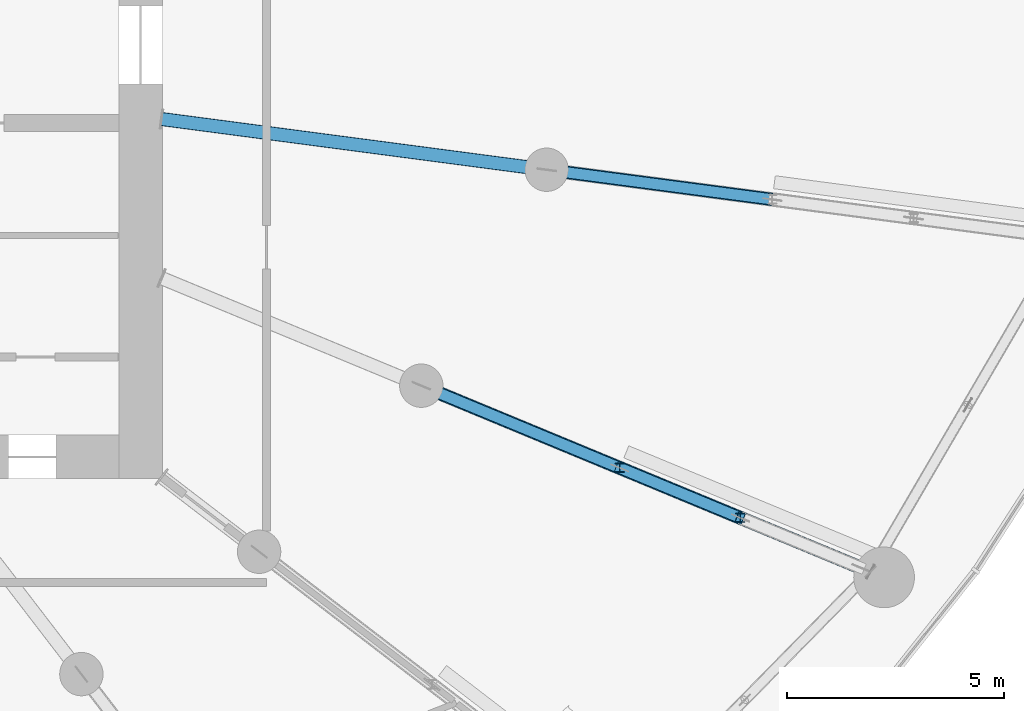
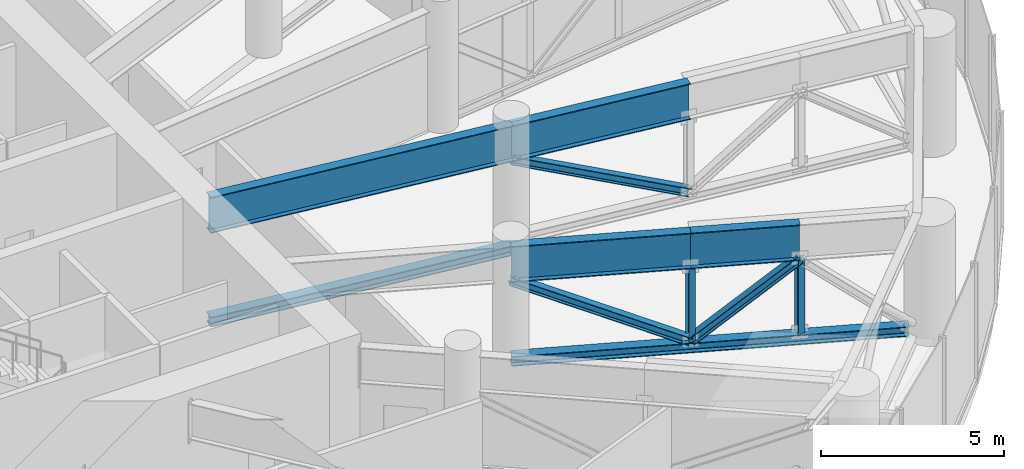
# One storey, part 9 of 42: 7 members, 4 beams.
"""IFC4 building model written with IfcOpenShell, lengths in metres."""

from ifc_helpers import new_model, si_unit, direction, frame, origin, origin_2d, place, context, subcontext, project, spatial, i_section, extrude, source, transform, mapped, material, material_profile, profile_set, type_object, element, save


model = new_model("IFC4")

# Units and contexts
model_context = context("Model", 3, precision=1e-05, world=origin(), true_north=direction((0.0, 1.0)))
body_context = subcontext(model_context, "Body", "Model", "MODEL_VIEW")
ifc_project = project(units=[si_unit("LENGTHUNIT", "METRE"), si_unit("AREAUNIT", "SQUARE_METRE"), si_unit("VOLUMEUNIT", "CUBIC_METRE"), si_unit("PLANEANGLEUNIT", "RADIAN"), si_unit("MASSUNIT", "GRAM", prefix="KILO")], contexts=[model_context])

# Site, building, storey
site_placement = place(None, origin())
site = spatial("IfcSite", under=ifc_project, at=site_placement, CompositionType="ELEMENT")
building_placement = place(site_placement, origin())
building = spatial("IfcBuilding", under=site, at=building_placement, Name="Spindrift Exchange Tower", CompositionType="ELEMENT")
storey_placement = place(building_placement, frame((0.0, 0.0, 75.39990234375)))
storey = spatial("IfcBuildingStorey", under=building, at=storey_placement, Name="L17", CompositionType="ELEMENT", Elevation=75.39990234375)

# Members
ifc_material = material(Name="Steel Grade 300", Category="steel")
ifc_material_profile_1 = material_profile(ifc_material, i_section(OverallWidth=0.205078125, OverallDepth=0.2099609375, WebThickness=0.00927734375, FlangeThickness=0.01416015625, FilletRadius=0.012939453125, at=origin_2d()), Name="200UC59.5")
ifc_profile_set_1 = profile_set([ifc_material_profile_1], Name="Steel Grade 300")
member_type_1 = type_object("IfcMemberType", Name="Outrigger Truss Post 200UC59.5 Steel Grade 300", PredefinedType="POST", material=ifc_profile_set_1)
shared_shape_1 = source(origin(), body_context, "Body", "SweptSolid", [
    extrude(i_section(OverallWidth=0.205078125, OverallDepth=0.2099609375, WebThickness=0.00927734375, FlangeThickness=0.01416015625, FilletRadius=0.012939453125, at=origin_2d()), origin(), (0.0, 0.0, 1.0), 2.472900390625),
])
for number, where, z_axis, x_axis, name in (
    (1, (75.5478515625, 38.24609375, 0.3271484375), (0.0, 0.0, 1.0), (1.0, 0.0, 0.0), "L17 outrigger truss 23 post 2"),
    (2, (78.328125, 37.094482421875, 0.3271484375), (0.0, 0.0, 1.0), (1.0, 0.0, 0.0), "L17 outrigger truss 23 post 3"),
):
    element("IfcMember", number, at=place(storey_placement, frame(where, z_axis=z_axis, x_axis=x_axis)), inside=storey, type_object=member_type_1, Name=name, PredefinedType="POST", context=body_context, shape_type="MappedRepresentation", body=[
        mapped(shared_shape_1, transform((0.0, 0.0, 0.0), scale=1.0)),
    ])

# Beam
ifc_material_profile_2 = material_profile(ifc_material, i_section(OverallWidth=0.300048828125, OverallDepth=1.199951171875, WebThickness=0.011962890625, FlangeThickness=0.028076171875, at=origin_2d()), Name="1200WB249")
ifc_profile_set_2 = profile_set([ifc_material_profile_2], Name="Steel Grade 300")
beam_type = type_object("IfcBeamType", Name="Outrigger Truss Transfer Girder 1200WB249 Steel Grade 300", PredefinedType="BEAM", material=ifc_profile_set_2)
shared_shape_2 = source(origin(), body_context, "Body", "SweptSolid", [
    extrude(i_section(OverallWidth=0.300048828125, OverallDepth=1.199951171875, WebThickness=0.011962890625, FlangeThickness=0.028076171875, at=origin_2d()), origin(), (0.0, 0.0, 1.0), 4.952392578125),
])
beam_1_placement = place(storey_placement, frame((70.972412109375, 40.141357421875, 3.400146484375), z_axis=(0.923875634829, -0.382692842067, 0.0), x_axis=(0.382692842067, 0.923875634829, 0.0)))
element("IfcBeam", 3, at=beam_1_placement, inside=storey, type_object=beam_type, Name="L17 outrigger truss 23 top chord 2", PredefinedType="BEAM", context=body_context, shape_type="MappedRepresentation", body=[
    mapped(shared_shape_2, transform((0.0, 0.0, 0.0), scale=1.0)),
])

# Members
ifc_material_profile_3 = material_profile(ifc_material, i_section(OverallWidth=0.31103515625, OverallDepth=0.326904296875, WebThickness=0.015625, FlangeThickness=0.02490234375, FilletRadius=0.0166015625, at=origin_2d()), Name="310UC158")
ifc_profile_set_3 = profile_set([ifc_material_profile_3], Name="Steel Grade 300")
member_type_2 = type_object("IfcMemberType", Name="Outrigger Truss Chord 310UC158 Steel Grade 300", PredefinedType="CHORD", material=ifc_profile_set_3)
shared_shape_3 = source(origin(), body_context, "Body", "SweptSolid", [
    extrude(i_section(OverallWidth=0.31103515625, OverallDepth=0.326904296875, WebThickness=0.015625, FlangeThickness=0.02490234375, FilletRadius=0.0166015625, at=origin_2d()), origin(), (0.0, 0.0, 1.0), 10.971435546875),
])
member_1_placement = place(storey_placement, frame((70.972412109375, 40.141357421875, 0.16357421875), z_axis=(0.923882039717, -0.382677379378, 0.0), x_axis=(0.382677379378, 0.923882039717, 0.0)))
element("IfcMember", 4, at=member_1_placement, inside=storey, type_object=member_type_2, Name="L17 outrigger truss 23 bottom chord 2", PredefinedType="CHORD", context=body_context, shape_type="MappedRepresentation", body=[
    mapped(shared_shape_3, transform((0.0, 0.0, 0.0), scale=1.0)),
])
ifc_material_profile_4 = material_profile(ifc_material, i_section(OverallWidth=0.256103515625, OverallDepth=0.260009765625, WebThickness=0.010498046875, FlangeThickness=0.017333984375, FilletRadius=0.011962890625, at=origin_2d()), Name="250UC89.5")
ifc_profile_set_4 = profile_set([ifc_material_profile_4], Name="Steel Grade 300")
member_type_3 = type_object("IfcMemberType", Name="Outrigger Truss Diagonal 250UC89.5 Steel Grade 300", PredefinedType="BRACE", material=ifc_profile_set_4)
shared_shape_4 = source(origin(), body_context, "Body", "SweptSolid", [
    extrude(i_section(OverallWidth=0.256103515625, OverallDepth=0.260009765625, WebThickness=0.010498046875, FlangeThickness=0.017333984375, FilletRadius=0.011962890625, at=origin_2d()), origin(), (0.0, 0.0, 1.0), 5.535400390625),
])
member_2_placement = place(storey_placement, frame((70.972412109375, 40.141357421875, 2.800048828125), z_axis=(0.826561015802, -0.342382645839, -0.446733713732), x_axis=(0.382692842067, 0.923875634829, 0.0)))
element("IfcMember", 5, at=member_2_placement, inside=storey, type_object=member_type_3, Name="L17 outrigger truss 23 diagonal 2", PredefinedType="BRACE", context=body_context, shape_type="MappedRepresentation", body=[
    mapped(shared_shape_4, transform((0.0, 0.0, 0.0), scale=1.0)),
])

# Beam
shared_shape_5 = source(origin(), body_context, "Body", "SweptSolid", [
    extrude(i_section(OverallWidth=0.300048828125, OverallDepth=1.199951171875, WebThickness=0.011962890625, FlangeThickness=0.028076171875, at=origin_2d()), origin(), (0.0, 0.0, 1.0), 3.00927734375),
])
beam_2_placement = place(storey_placement, frame((75.5478515625, 38.24609375, 3.400146484375), z_axis=(0.923881369595, -0.382678997223, 0.0), x_axis=(0.382678997223, 0.923881369595, 0.0)))
element("IfcBeam", 6, at=beam_2_placement, inside=storey, type_object=beam_type, Name="L17 outrigger truss 23 top chord 3", PredefinedType="BEAM", context=body_context, shape_type="MappedRepresentation", body=[
    mapped(shared_shape_5, transform((0.0, 0.0, 0.0), scale=1.0)),
])

# Member
shared_shape_6 = source(origin(), body_context, "Body", "SweptSolid", [
    extrude(i_section(OverallWidth=0.256103515625, OverallDepth=0.260009765625, WebThickness=0.010498046875, FlangeThickness=0.017333984375, FilletRadius=0.011962890625, at=origin_2d()), origin(), (0.0, 0.0, 1.0), 3.89501953125),
])
member_3_placement = place(storey_placement, frame((75.5478515625, 38.24609375, 0.3271484375), z_axis=(0.713797753178, -0.295660695622, 0.634883863886), x_axis=(0.382678997223, 0.923881369595, 0.0)))
element("IfcMember", 7, at=member_3_placement, inside=storey, type_object=member_type_3, Name="L17 outrigger truss 23 diagonal 3", PredefinedType="BRACE", context=body_context, shape_type="MappedRepresentation", body=[
    mapped(shared_shape_6, transform((0.0, 0.0, 0.0), scale=1.0)),
])

# Beam
shared_shape_7 = source(origin(), body_context, "Body", "SweptSolid", [
    extrude(i_section(OverallWidth=0.300048828125, OverallDepth=1.199951171875, WebThickness=0.011962890625, FlangeThickness=0.028076171875, at=origin_2d()), origin(), (0.0, 0.0, 1.0), 8.959716796875),
])
beam_3_placement = place(storey_placement, frame((64.980224609375, 46.291015625, 3.400146484375), z_axis=(0.991445482422, -0.130521474806, 0.0), x_axis=(0.130521474806, 0.991445482422, 0.0)))
element("IfcBeam", 8, at=beam_3_placement, inside=storey, type_object=beam_type, Name="L17 outrigger truss 24 top chord 1", PredefinedType="BEAM", context=body_context, shape_type="MappedRepresentation", body=[
    mapped(shared_shape_7, transform((0.0, 0.0, 0.0), scale=1.0)),
])

# Member
shared_shape_8 = source(origin(), body_context, "Body", "SweptSolid", [
    extrude(i_section(OverallWidth=0.31103515625, OverallDepth=0.326904296875, WebThickness=0.015625, FlangeThickness=0.02490234375, FilletRadius=0.0166015625, at=origin_2d()), origin(), (0.0, 0.0, 1.0), 8.959716796875),
])
member_4_placement = place(storey_placement, frame((64.980224609375, 46.291015625, -0.163330078125), z_axis=(0.991445482422, -0.130521474806, 0.0), x_axis=(0.130521474806, 0.991445482422, 0.0)))
element("IfcMember", 9, at=member_4_placement, inside=storey, type_object=member_type_2, Name="L17 outrigger truss 24 bottom chord 1", PredefinedType="CHORD", context=body_context, shape_type="MappedRepresentation", body=[
    mapped(shared_shape_8, transform((0.0, 0.0, 0.0), scale=1.0)),
])

# Beam
shared_shape_9 = source(origin(), body_context, "Body", "SweptSolid", [
    extrude(i_section(OverallWidth=0.300048828125, OverallDepth=1.199951171875, WebThickness=0.011962890625, FlangeThickness=0.028076171875, at=origin_2d()), origin(), (0.0, 0.0, 1.0), 5.24609375),
])
beam_4_placement = place(storey_placement, frame((73.86328125, 45.12158203125, 3.400146484375), z_axis=(0.991449225967, -0.130493035562, 0.0), x_axis=(0.130493035562, 0.991449225967, 0.0)))
element("IfcBeam", 10, at=beam_4_placement, inside=storey, type_object=beam_type, Name="L17 outrigger truss 24 top chord 2", PredefinedType="BEAM", context=body_context, shape_type="MappedRepresentation", body=[
    mapped(shared_shape_9, transform((0.0, 0.0, 0.0), scale=1.0)),
])

# Member
shared_shape_10 = source(origin(), body_context, "Body", "SweptSolid", [
    extrude(i_section(OverallWidth=0.256103515625, OverallDepth=0.260009765625, WebThickness=0.010498046875, FlangeThickness=0.017333984375, FilletRadius=0.011962890625, at=origin_2d()), origin(), (0.0, 0.0, 1.0), 5.799560546875),
])
member_5_placement = place(storey_placement, frame((73.86328125, 45.12158203125, 2.800048828125), z_axis=(0.896806268139, -0.118036273745, -0.42638709585), x_axis=(0.130493035562, 0.991449225967, 0.0)))
element("IfcMember", 11, at=member_5_placement, inside=storey, type_object=member_type_3, Name="L17 outrigger truss 24 diagonal 2", PredefinedType="BRACE", context=body_context, shape_type="MappedRepresentation", body=[
    mapped(shared_shape_10, transform((0.0, 0.0, 0.0), scale=1.0)),
])

save(model, "model.ifc")
